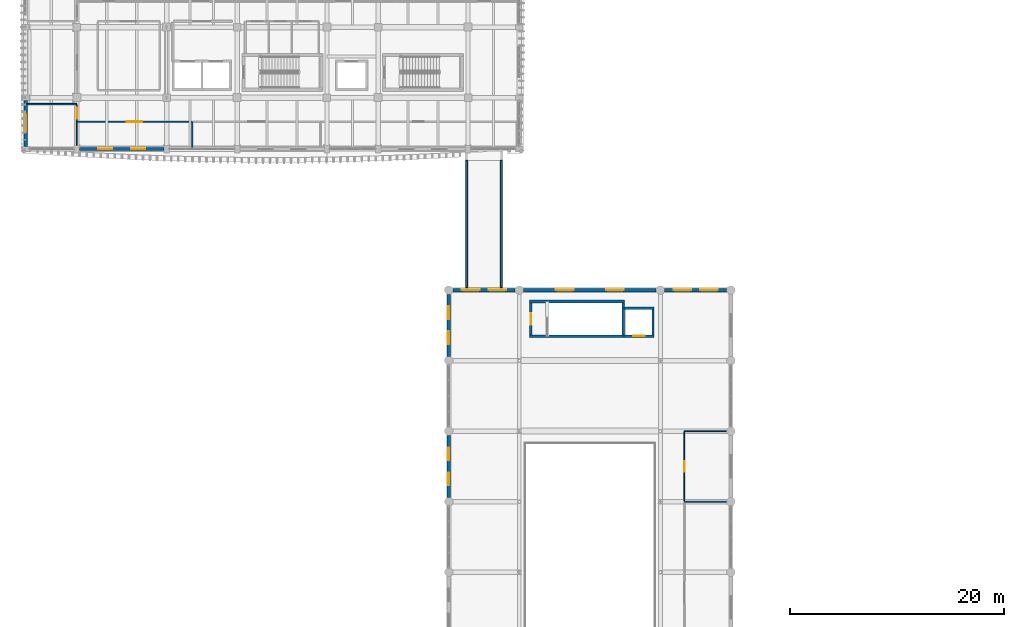
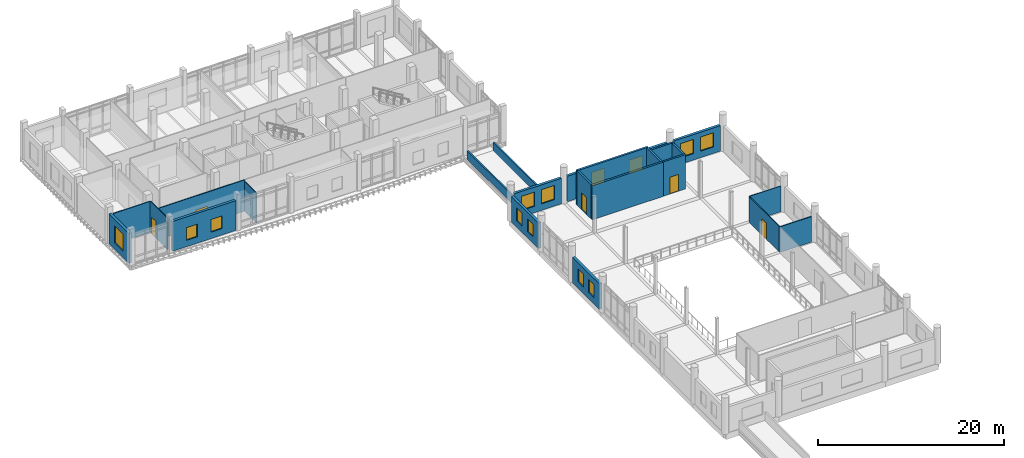
# One storey, part 50 of 76: 23 walls, 13 windows, 5 doors, 18 openings.
"""IFC4 building model written with IfcOpenShell, lengths in metres."""

from ifc_helpers import new_model, si_unit, direction, frame, frame_2d, origin, place, context, subcontext, project, spatial, rectangle, extrude, material, layer, layer_set, type_object, element, fill, save


model = new_model("IFC4")

# Units and contexts
model_context = context("Model", 3, precision=1e-05, world=origin(), true_north=direction((0.0, 1.0)))
body_context = subcontext(model_context, "Body", "Model", "MODEL_VIEW")
ifc_project = project(units=[si_unit("LENGTHUNIT", "METRE"), si_unit("AREAUNIT", "SQUARE_METRE"), si_unit("VOLUMEUNIT", "CUBIC_METRE"), si_unit("PLANEANGLEUNIT", "RADIAN"), si_unit("MASSUNIT", "GRAM", prefix="KILO")], contexts=[model_context])

# Site, building, storey
site_placement = place(None, origin())
site = spatial("IfcSite", under=ifc_project, at=site_placement, CompositionType="ELEMENT")
building_placement = place(site_placement, origin())
building = spatial("IfcBuilding", under=site, at=building_placement, Name="Dornvale Research Institute", CompositionType="ELEMENT")
storey_placement = place(building_placement, frame((0.0, 0.0, 15.0)))
storey = spatial("IfcBuildingStorey", under=building, at=storey_placement, Name="L03", CompositionType="ELEMENT", Elevation=15.0)

# Walls
ifc_material_1 = material(Name="Concrete f'c 40 MPa (C32/40)", Category="concrete")
ifc_layer_1 = layer(ifc_material_1, 0.179931640625)
ifc_layer_set_1 = layer_set([ifc_layer_1], Name="Concrete f'c 40 MPa (C32/40)")
wall_type_1 = type_object("IfcWallType", Name="Parapet_Terrace_180", PredefinedType="PARAPET", material=ifc_layer_set_1)
for number, where, z_axis, x_axis, name in (
    (1, (41.2900390625, 86.02001953125, 0.0), (0.0, 0.0, 1.0), (0.0, 1.0, 0.0), "L03 BRROOF-BR-4 parapet W"),
    (2, (44.510009765625, 86.02001953125, 0.0), (0.0, 0.0, 1.0), (0.0, 1.0, 0.0), "L03 BRROOF-BR-4 parapet E"),
):
    element("IfcWall", number, at=place(storey_placement, frame(where, z_axis=z_axis, x_axis=x_axis)), inside=storey, type_object=wall_type_1, Name=name, PredefinedType="PARAPET", context=body_context, shape_type="SweptSolid", body=[
        extrude(rectangle(XDim=11.919921875, YDim=0.179931640625, at=frame_2d((5.9599609375, 0.0))), origin(), (0.0, 0.0, 1.0), 1.1201171875),
    ])
ifc_material_2 = material(Name="Acoustic Insulated Double-Stud Laboratory Partition")
ifc_layer_2 = layer(ifc_material_2, 0.1201171875)
ifc_layer_set_2 = layer_set([ifc_layer_2], Name="Acoustic Insulated Double-Stud Laboratory Partition")
wall_type_2 = type_object("IfcWallType", Name="Partition_Dry_120", PredefinedType="PARTITIONING", material=ifc_layer_set_2)
wall_1_placement = place(storey_placement, frame((0.175048828125, 103.199951171875, 0.0), z_axis=(0.0, 0.0, 1.0), x_axis=(1.0, 0.0, 0.0)))
element("IfcWall", 3, at=wall_1_placement, inside=storey, type_object=wall_type_2, Name="L03 V5 interior partition #335", PredefinedType="PARTITIONING", context=body_context, shape_type="SweptSolid", body=[
    extrude(rectangle(XDim=4.625, YDim=0.1201171875, at=frame_2d((2.3125, 0.0))), origin(), (0.0, 0.0, 1.0), 4.080078125),
])

# Wall, opening, door
wall_2_placement = place(storey_placement, frame((4.864990234375, 101.550048828125, 0.0), z_axis=(0.0, 0.0, 1.0), x_axis=(1.0, 0.0, 0.0)))
wall_2 = element("IfcWall", 4, at=wall_2_placement, inside=storey, type_object=wall_type_2, Name="L03 V5 interior partition #348", PredefinedType="PARTITIONING", context=body_context, shape_type="SweptSolid", body=[
    extrude(rectangle(XDim=10.735107421875, YDim=0.1201171875, at=frame_2d((5.36767578125, 0.0))), origin(), (0.0, 0.0, 1.0), 4.1298828125),
])
opening_1_placement = place(wall_2_placement, frame((4.614990234375, 0.0, 0.0)))
opening_1 = element("IfcOpeningElement", 5, at=opening_1_placement, cuts=wall_2, Name="Opening ID-07", PredefinedType="OPENING", context=body_context, shape_type="SweptSolid", body=[
    extrude(rectangle(XDim=1.43994140625, YDim=2.25, at=frame_2d((0.719970703125, 1.125))), frame((0.0, 0.074951171875, 0.0), z_axis=(0.0, -1.0, 0.0), x_axis=(1.0, 0.0, 0.0)), (0.0, 0.0, 1.0), 0.150146484375),
])
ifc_material_3 = material(Name="Insulated Fire-Rated Hollow Metal Door Assembly")
door_type_1 = type_object("IfcDoorType", Name="Door_DryLab_1440x2250", OperationType="SINGLE_SWING_LEFT", PredefinedType="DOOR", material=ifc_material_3)
door_1_placement = place(opening_1_placement, origin())
door_1 = element("IfcDoor", 6, at=door_1_placement, inside=storey, type_object=door_type_1, Name="L03 Systems Modelling Dry Laboratory door #141", OperationType="SINGLE_SWING_RIGHT", OverallHeight=2.25, OverallWidth=1.43994140625, PredefinedType="DOOR", context=body_context, shape_type="SweptSolid", body=[
    extrude(rectangle(XDim=1.43994140625, YDim=2.25, at=frame_2d((0.719970703125, 1.125))), frame((0.0, 0.02490234375, 0.0), z_axis=(0.0, -1.0, 0.0), x_axis=(1.0, 0.0, 0.0)), (0.0, 0.0, 1.0), 0.050048828125),
])
fill(opening_1, door_1)

# Walls
wall_3_placement = place(storey_placement, frame((15.60009765625, 99.0400390625, 0.0), z_axis=(0.0, 0.0, 1.0), x_axis=(0.0, 1.0, 0.0)))
element("IfcWall", 7, at=wall_3_placement, inside=storey, type_object=wall_type_2, Name="L03 V5 interior partition #349", PredefinedType="PARTITIONING", context=body_context, shape_type="SweptSolid", body=[
    extrude(rectangle(XDim=2.43505859375, YDim=0.1201171875, at=frame_2d((1.217529296875, 0.0))), origin(), (0.0, 0.0, 1.0), 3.929931640625),
])
wall_4_placement = place(storey_placement, frame((61.64990234375, 66.0, 0.0), z_axis=(0.0, 0.0, 1.0), x_axis=(1.0, 0.0, 0.0)))
element("IfcWall", 8, at=wall_4_placement, inside=storey, type_object=wall_type_2, Name="L03 V2 interior partition #396", PredefinedType="PARTITIONING", context=body_context, shape_type="SweptSolid", body=[
    extrude(rectangle(XDim=3.93017578125, YDim=0.1201171875, at=frame_2d((1.965087890625, 0.0))), origin(), (0.0, 0.0, 1.0), 3.360107421875),
])

# Wall, opening, door
ifc_material_4 = material(Name="Acoustic Insulated Double-Stud Laboratory Partition")
ifc_layer_3 = layer(ifc_material_4, 0.10009765625)
ifc_layer_set_3 = layer_set([ifc_layer_3], Name="Acoustic Insulated Double-Stud Laboratory Partition")
wall_type_3 = type_object("IfcWallType", Name="Partition_Office_100", PredefinedType="PARTITIONING", material=ifc_layer_set_3)
wall_5_placement = place(storey_placement, frame((4.800048828125, 99.3701171875, 0.0), z_axis=(0.0, 0.0, 1.0), x_axis=(0.0, 1.0, 0.0)))
wall_5 = element("IfcWall", 9, at=wall_5_placement, inside=storey, type_object=wall_type_3, Name="L03 V5 interior partition #347", PredefinedType="PARTITIONING", context=body_context, shape_type="SweptSolid", body=[
    extrude(rectangle(XDim=3.7548828125, YDim=0.10009765625, at=frame_2d((1.87744140625, 0.0))), origin(), (0.0, 0.0, 1.0), 4.1298828125),
])
opening_2_placement = place(wall_5_placement, frame((2.485107421875, 0.0, 0.0)))
opening_2 = element("IfcOpeningElement", 10, at=opening_2_placement, cuts=wall_5, Name="Opening ID-20", PredefinedType="OPENING", context=body_context, shape_type="SweptSolid", body=[
    extrude(rectangle(XDim=1.02001953125, YDim=2.199951171875, at=frame_2d((0.510009765625, 1.10009765625))), frame((0.0, 0.06494140625, 0.0), z_axis=(0.0, -1.0, 0.0), x_axis=(1.0, 0.0, 0.0)), (0.0, 0.0, 1.0), 0.130126953125),
])
ifc_material_5 = material(Name="Phenolic-Faced Solid-Core Laboratory Door Assembly")
door_type_2 = type_object("IfcDoorType", Name="Door_WriteUp_1020x2200", OperationType="SINGLE_SWING_LEFT", PredefinedType="DOOR", material=ifc_material_5)
door_2_placement = place(opening_2_placement, origin())
door_2 = element("IfcDoor", 11, at=door_2_placement, inside=storey, type_object=door_type_2, Name="L03 Research Instrument Study L03 door #140", OperationType="SINGLE_SWING_LEFT", OverallHeight=2.199951171875, OverallWidth=1.02001953125, PredefinedType="DOOR", context=body_context, shape_type="SweptSolid", body=[
    extrude(rectangle(XDim=1.02001953125, YDim=2.199951171875, at=frame_2d((0.510009765625, 1.10009765625))), frame((0.0, 0.02490234375, 0.0), z_axis=(0.0, -1.0, 0.0), x_axis=(1.0, 0.0, 0.0)), (0.0, 0.0, 1.0), 0.050048828125),
])
fill(opening_2, door_2)

# Wall
wall_6_placement = place(storey_placement, frame((61.64990234375, 72.60009765625, 0.0), z_axis=(0.0, 0.0, 1.0), x_axis=(1.0, 0.0, 0.0)))
element("IfcWall", 12, at=wall_6_placement, inside=storey, type_object=wall_type_3, Name="L03 V2 interior partition #398", PredefinedType="PARTITIONING", context=body_context, shape_type="SweptSolid", body=[
    extrude(rectangle(XDim=3.93017578125, YDim=0.10009765625, at=frame_2d((1.965087890625, 0.0))), origin(), (0.0, 0.0, 1.0), 3.360107421875),
])

# Wall, opening, door
wall_7_placement = place(storey_placement, frame((61.64990234375, 66.074951171875, 0.0), z_axis=(0.0, 0.0, 1.0), x_axis=(0.0, 1.0, 0.0)))
wall_7 = element("IfcWall", 13, at=wall_7_placement, inside=storey, type_object=wall_type_3, Name="L03 V2 interior partition #399", PredefinedType="PARTITIONING", context=body_context, shape_type="SweptSolid", body=[
    extrude(rectangle(XDim=6.4599609375, YDim=0.10009765625, at=frame_2d((3.22998046875, 0.0))), origin(), (0.0, 0.0, 1.0), 3.360107421875),
])
opening_3_placement = place(wall_7_placement, frame((2.72509765625, 0.0, 0.0)))
opening_3 = element("IfcOpeningElement", 14, at=opening_3_placement, cuts=wall_7, Name="Opening ID-24", PredefinedType="OPENING", context=body_context, shape_type="SweptSolid", body=[
    extrude(rectangle(XDim=1.0, YDim=2.14990234375, at=frame_2d((0.5, 1.074951171875))), frame((0.0, 0.06494140625, 0.0), z_axis=(0.0, -1.0, 0.0), x_axis=(1.0, 0.0, 0.0)), (0.0, 0.0, 1.0), 0.130126953125),
])
ifc_material_6 = material(Name="Phenolic-Faced Solid-Core Laboratory Door Assembly")
door_type_3 = type_object("IfcDoorType", Name="Door_AccWC_1000x2150", OperationType="SINGLE_SWING_LEFT", PredefinedType="DOOR", material=ifc_material_6)
door_3_placement = place(opening_3_placement, origin())
door_3 = element("IfcDoor", 15, at=door_3_placement, inside=storey, type_object=door_type_3, Name="L03 Atrium Accessible Restroom L03 door #160", OperationType="SINGLE_SWING_LEFT", OverallHeight=2.14990234375, OverallWidth=1.0, PredefinedType="DOOR", context=body_context, shape_type="SweptSolid", body=[
    extrude(rectangle(XDim=1.0, YDim=2.14990234375, at=frame_2d((0.5, 1.074951171875))), frame((0.0, 0.02490234375, 0.0), z_axis=(0.0, -1.0, 0.0), x_axis=(1.0, 0.0, 0.0)), (0.0, 0.0, 1.0), 0.050048828125),
])
fill(opening_3, door_3)

# Walls
ifc_material_7 = material(Name="Concrete f'c 45 MPa (C35/45)", Category="concrete")
ifc_layer_4 = layer(ifc_material_7, 0.25)
ifc_layer_set_4 = layer_set([ifc_layer_4], Name="Concrete f'c 45 MPa (C35/45)")
wall_type_4 = type_object("IfcWallType", Name="ShearWall_Core_250", PredefinedType="SHEAR", material=ifc_layer_set_4)
for number, where, z_axis, x_axis, name in (
    (16, (47.14990234375, 81.47509765625, 0.0), (0.0, 0.0, 1.0), (1.0, 0.0, 0.0), "L03 ST-8 shaft shear wall south"),
    (17, (47.14990234375, 84.72509765625, 0.0), (0.0, 0.0, 1.0), (1.0, 0.0, 0.0), "L03 ST-8 shaft shear wall north"),
):
    element("IfcWall", number, at=place(storey_placement, frame(where, z_axis=z_axis, x_axis=x_axis)), inside=storey, type_object=wall_type_4, Name=name, PredefinedType="SHEAR", context=body_context, shape_type="SweptSolid", body=[
        extrude(rectangle(XDim=8.900146484375, YDim=0.25, at=frame_2d((4.4501953125, 0.0))), origin(), (0.0, 0.0, 1.0), 4.5),
    ])

# Wall, opening, door
wall_8_placement = place(storey_placement, frame((47.27490234375, 81.60009765625, 0.0), z_axis=(0.0, 0.0, 1.0), x_axis=(0.0, 1.0, 0.0)))
wall_8 = element("IfcWall", 18, at=wall_8_placement, inside=storey, type_object=wall_type_4, Name="L03 ST-8 shaft shear wall west", PredefinedType="SHEAR", context=body_context, shape_type="SweptSolid", body=[
    extrude(rectangle(XDim=3.0, YDim=0.25, at=frame_2d((1.5, 0.0))), origin(), (0.0, 0.0, 1.0), 4.5),
])
opening_4_placement = place(wall_8_placement, frame((0.9599609375, 0.0, 0.0)))
opening_4 = element("IfcOpeningElement", 19, at=opening_4_placement, cuts=wall_8, Name="Opening SD-02", PredefinedType="OPENING", context=body_context, shape_type="SweptSolid", body=[
    extrude(rectangle(XDim=1.080078125, YDim=2.199951171875, at=frame_2d((0.5400390625, 1.10009765625))), frame((0.0, 0.139892578125, 0.0), z_axis=(0.0, -1.0, 0.0), x_axis=(1.0, 0.0, 0.0)), (0.0, 0.0, 1.0), 0.280029296875),
])
ifc_material_8 = material(Name="Insulated Fire-Rated Hollow Metal Door Assembly")
door_type_4 = type_object("IfcDoorType", Name="Door_Stair_1080x2200", OperationType="SINGLE_SWING_LEFT", PredefinedType="DOOR", material=ifc_material_8)
door_4_placement = place(opening_4_placement, origin())
door_4 = element("IfcDoor", 20, at=door_4_placement, inside=storey, type_object=door_type_4, Name="L03 ST-8 exit stair door #58", OperationType="SINGLE_SWING_RIGHT", OverallHeight=2.199951171875, OverallWidth=1.080078125, PredefinedType="DOOR", context=body_context, shape_type="SweptSolid", body=[
    extrude(rectangle(XDim=1.080078125, YDim=2.199951171875, at=frame_2d((0.5400390625, 1.10009765625))), frame((0.0, 0.02490234375, 0.0), z_axis=(0.0, -1.0, 0.0), x_axis=(1.0, 0.0, 0.0)), (0.0, 0.0, 1.0), 0.050048828125),
])
fill(opening_4, door_4)

# Wall
wall_9_placement = place(storey_placement, frame((55.925048828125, 81.60009765625, 0.0), z_axis=(0.0, 0.0, 1.0), x_axis=(0.0, 1.0, 0.0)))
element("IfcWall", 21, at=wall_9_placement, inside=storey, type_object=wall_type_4, Name="L03 ST-8 shaft shear wall east", PredefinedType="SHEAR", context=body_context, shape_type="SweptSolid", body=[
    extrude(rectangle(XDim=3.0, YDim=0.25, at=frame_2d((1.5, 0.0))), origin(), (0.0, 0.0, 1.0), 4.5),
])

# Wall, opening, door
ifc_material_9 = material(Name="Concrete f'c 45 MPa (C35/45)", Category="concrete")
ifc_layer_5 = layer(ifc_material_9, 0.219970703125)
ifc_layer_set_5 = layer_set([ifc_layer_5], Name="Concrete f'c 45 MPa (C35/45)")
wall_type_5 = type_object("IfcWallType", Name="ShearWall_Shaft_220", PredefinedType="SHEAR", material=ifc_layer_set_5)
wall_10_placement = place(storey_placement, frame((55.97998046875, 81.489990234375, 0.0), z_axis=(0.0, 0.0, 1.0), x_axis=(1.0, 0.0, 0.0)))
wall_10 = element("IfcWall", 22, at=wall_10_placement, inside=storey, type_object=wall_type_5, Name="L03 LP3 elevator shaft wall south", PredefinedType="SHEAR", context=body_context, shape_type="SweptSolid", body=[
    extrude(rectangle(XDim=2.840087890625, YDim=0.219970703125, at=frame_2d((1.419921875, 0.0))), origin(), (0.0, 0.0, 1.0), 4.5),
])
opening_5_placement = place(wall_10_placement, frame((0.8701171875, 0.0, 0.0)))
opening_5 = element("IfcOpeningElement", 23, at=opening_5_placement, cuts=wall_10, Name="Opening LD-02", PredefinedType="OPENING", context=body_context, shape_type="SweptSolid", body=[
    extrude(rectangle(XDim=1.10009765625, YDim=2.199951171875, at=frame_2d((0.550048828125, 1.10009765625))), frame((0.0, 0.125, 0.0), z_axis=(0.0, -1.0, 0.0), x_axis=(1.0, 0.0, 0.0)), (0.0, 0.0, 1.0), 0.25),
])
ifc_material_10 = material(Name="Brushed Stainless Steel Sliding Elevator Landing Door", Category="steel")
door_type_5 = type_object("IfcDoorType", Name="Door_LiftLanding_Pass_1100x2200", OperationType="SINGLE_SWING_LEFT", PredefinedType="DOOR", material=ifc_material_10)
door_5_placement = place(opening_5_placement, origin())
door_5 = element("IfcDoor", 24, at=door_5_placement, inside=storey, type_object=door_type_5, Name="L03 LP3 sliding elevator landing door #61", OperationType="SLIDING_TO_LEFT", OverallHeight=2.199951171875, OverallWidth=1.10009765625, PredefinedType="DOOR", context=body_context, shape_type="SweptSolid", body=[
    extrude(rectangle(XDim=1.10009765625, YDim=2.199951171875, at=frame_2d((0.550048828125, 1.10009765625))), frame((0.0, 0.02490234375, 0.0), z_axis=(0.0, -1.0, 0.0), x_axis=(1.0, 0.0, 0.0)), (0.0, 0.0, 1.0), 0.050048828125),
])
fill(opening_5, door_5)

# Walls
wall_11_placement = place(storey_placement, frame((55.97998046875, 84.110107421875, 0.0), z_axis=(0.0, 0.0, 1.0), x_axis=(1.0, 0.0, 0.0)))
element("IfcWall", 25, at=wall_11_placement, inside=storey, type_object=wall_type_5, Name="L03 LP3 elevator shaft wall north", PredefinedType="SHEAR", context=body_context, shape_type="SweptSolid", body=[
    extrude(rectangle(XDim=2.840087890625, YDim=0.219970703125, at=frame_2d((1.419921875, 0.0))), origin(), (0.0, 0.0, 1.0), 4.5),
])
wall_12_placement = place(storey_placement, frame((58.7099609375, 81.60009765625, 0.0), z_axis=(0.0, 0.0, 1.0), x_axis=(0.0, 1.0, 0.0)))
element("IfcWall", 26, at=wall_12_placement, inside=storey, type_object=wall_type_5, Name="L03 LP3 elevator shaft wall east", PredefinedType="SHEAR", context=body_context, shape_type="SweptSolid", body=[
    extrude(rectangle(XDim=2.39990234375, YDim=0.219970703125, at=frame_2d((1.199951171875, 0.0))), origin(), (0.0, 0.0, 1.0), 4.5),
])

# Wall, openings, windows
ifc_material_11 = material(Name="Catalan Pressed Brick and Insulated Cavity Assembly", Category="masonry")
ifc_layer_6 = layer(ifc_material_11, 0.320068359375)
ifc_layer_set_6 = layer_set([ifc_layer_6], Name="Catalan Pressed Brick and Insulated Cavity Assembly")
wall_type_6 = type_object("IfcWallType", Name="StandardWall_BrickCavity_320", PredefinedType="STANDARD", material=ifc_layer_set_6)
wall_13_placement = place(storey_placement, frame((39.60009765625, 66.39501953125, 0.0), z_axis=(0.0, 0.0, 1.0), x_axis=(0.0, 1.0, 0.0)))
wall_13 = element("IfcWall", 27, at=wall_13_placement, inside=storey, type_object=wall_type_6, Name="L03 V2 west exterior wall #98", PredefinedType="STANDARD", context=body_context, shape_type="SweptSolid", body=[
    extrude(rectangle(XDim=5.81005859375, YDim=0.320068359375, at=frame_2d((2.905029296875, 0.0))), origin(), (0.0, 0.0, 1.0), 3.360107421875),
])
opening_6_placement = place(wall_13_placement, frame((1.13671875, 0.0, 0.85009765625)))
opening_6 = element("IfcOpeningElement", 28, at=opening_6_placement, cuts=wall_13, Name="Opening W-13", PredefinedType="OPENING", context=body_context, shape_type="SweptSolid", body=[
    extrude(rectangle(XDim=1.199951171875, YDim=1.699951171875, at=frame_2d((0.60009765625, 0.85009765625))), frame((0.0, 0.175048828125, 0.0), z_axis=(0.0, -1.0, 0.0), x_axis=(1.0, 0.0, 0.0)), (0.0, 0.0, 1.0), 0.35009765625),
])
opening_7_placement = place(wall_13_placement, frame((3.473388671875, 0.0, 0.85009765625)))
opening_7 = element("IfcOpeningElement", 29, at=opening_7_placement, cuts=wall_13, Name="Opening W-13", PredefinedType="OPENING", context=body_context, shape_type="SweptSolid", body=[
    extrude(rectangle(XDim=1.199951171875, YDim=1.699951171875, at=frame_2d((0.60009765625, 0.85009765625))), frame((0.0, 0.175048828125, 0.0), z_axis=(0.0, -1.0, 0.0), x_axis=(1.0, 0.0, 0.0)), (0.0, 0.0, 1.0), 0.35009765625),
])
ifc_material_12 = material(Name="Low-E Argon Double Insulating Glazing Unit", Category="glass")
window_type_1 = type_object("IfcWindowType", Name="Window_Alu_1200x1700_13", PartitioningType="SINGLE_PANEL", PredefinedType="WINDOW", material=ifc_material_12)
window_1_placement = place(opening_6_placement, origin())
window_1 = element("IfcWindow", 30, at=window_1_placement, inside=storey, type_object=window_type_1, Name="L03 V2 facade window W-13 #122", OverallHeight=1.699951171875, OverallWidth=1.199951171875, PartitioningType="SINGLE_PANEL", PredefinedType="WINDOW", context=body_context, shape_type="SweptSolid", body=[
    extrude(rectangle(XDim=1.199951171875, YDim=1.699951171875, at=frame_2d((0.60009765625, 0.85009765625))), frame((0.0, 0.030029296875, 0.0), z_axis=(0.0, -1.0, 0.0), x_axis=(1.0, 0.0, 0.0)), (0.0, 0.0, 1.0), 0.06005859375),
])
fill(opening_6, window_1)
window_2_placement = place(opening_7_placement, origin())
window_2 = element("IfcWindow", 31, at=window_2_placement, inside=storey, type_object=window_type_1, Name="L03 V2 facade window W-13 #123", OverallHeight=1.699951171875, OverallWidth=1.199951171875, PartitioningType="SINGLE_PANEL", PredefinedType="WINDOW", context=body_context, shape_type="SweptSolid", body=[
    extrude(rectangle(XDim=1.199951171875, YDim=1.699951171875, at=frame_2d((0.60009765625, 0.85009765625))), frame((0.0, 0.030029296875, 0.0), z_axis=(0.0, -1.0, 0.0), x_axis=(1.0, 0.0, 0.0)), (0.0, 0.0, 1.0), 0.06005859375),
])
fill(opening_7, window_2)

wall_14_placement = place(storey_placement, frame((39.60009765625, 79.594970703125, 0.0), z_axis=(0.0, 0.0, 1.0), x_axis=(0.0, 1.0, 0.0)))
wall_14 = element("IfcWall", 32, at=wall_14_placement, inside=storey, type_object=wall_type_6, Name="L03 V2 west exterior wall #99", PredefinedType="STANDARD", context=body_context, shape_type="SweptSolid", body=[
    extrude(rectangle(XDim=5.81005859375, YDim=0.320068359375, at=frame_2d((2.905029296875, 0.0))), origin(), (0.0, 0.0, 1.0), 3.360107421875),
])
opening_8_placement = place(wall_14_placement, frame((1.13671875, 0.0, 0.85009765625)))
opening_8 = element("IfcOpeningElement", 33, at=opening_8_placement, cuts=wall_14, Name="Opening W-13", PredefinedType="OPENING", context=body_context, shape_type="SweptSolid", body=[
    extrude(rectangle(XDim=1.199951171875, YDim=1.699951171875, at=frame_2d((0.60009765625, 0.85009765625))), frame((0.0, 0.175048828125, 0.0), z_axis=(0.0, -1.0, 0.0), x_axis=(1.0, 0.0, 0.0)), (0.0, 0.0, 1.0), 0.35009765625),
])
opening_9_placement = place(wall_14_placement, frame((3.473388671875, 0.0, 0.85009765625)))
opening_9 = element("IfcOpeningElement", 34, at=opening_9_placement, cuts=wall_14, Name="Opening W-13", PredefinedType="OPENING", context=body_context, shape_type="SweptSolid", body=[
    extrude(rectangle(XDim=1.199951171875, YDim=1.699951171875, at=frame_2d((0.60009765625, 0.85009765625))), frame((0.0, 0.175048828125, 0.0), z_axis=(0.0, -1.0, 0.0), x_axis=(1.0, 0.0, 0.0)), (0.0, 0.0, 1.0), 0.35009765625),
])
window_3_placement = place(opening_8_placement, origin())
window_3 = element("IfcWindow", 35, at=window_3_placement, inside=storey, type_object=window_type_1, Name="L03 V2 facade window W-13 #124", OverallHeight=1.699951171875, OverallWidth=1.199951171875, PartitioningType="SINGLE_PANEL", PredefinedType="WINDOW", context=body_context, shape_type="SweptSolid", body=[
    extrude(rectangle(XDim=1.199951171875, YDim=1.699951171875, at=frame_2d((0.60009765625, 0.85009765625))), frame((0.0, 0.030029296875, 0.0), z_axis=(0.0, -1.0, 0.0), x_axis=(1.0, 0.0, 0.0)), (0.0, 0.0, 1.0), 0.06005859375),
])
fill(opening_8, window_3)
window_4_placement = place(opening_9_placement, origin())
window_4 = element("IfcWindow", 36, at=window_4_placement, inside=storey, type_object=window_type_1, Name="L03 V2 facade window W-13 #125", OverallHeight=1.699951171875, OverallWidth=1.199951171875, PartitioningType="SINGLE_PANEL", PredefinedType="WINDOW", context=body_context, shape_type="SweptSolid", body=[
    extrude(rectangle(XDim=1.199951171875, YDim=1.699951171875, at=frame_2d((0.60009765625, 0.85009765625))), frame((0.0, 0.030029296875, 0.0), z_axis=(0.0, -1.0, 0.0), x_axis=(1.0, 0.0, 0.0)), (0.0, 0.0, 1.0), 0.06005859375),
])
fill(opening_9, window_4)

wall_15_placement = place(storey_placement, frame((39.9951171875, 85.800048828125, 0.0), z_axis=(0.0, 0.0, 1.0), x_axis=(1.0, 0.0, 0.0)))
wall_15 = element("IfcWall", 37, at=wall_15_placement, inside=storey, type_object=wall_type_6, Name="L03 V2 north exterior wall #100", PredefinedType="STANDARD", context=body_context, shape_type="SweptSolid", body=[
    extrude(rectangle(XDim=5.809814453125, YDim=0.320068359375, at=frame_2d((2.90478515625, 0.0))), origin(), (0.0, 0.0, 1.0), 3.360107421875),
])
opening_10_placement = place(wall_15_placement, frame((0.836669921875, 0.0, 0.85009765625)))
opening_10 = element("IfcOpeningElement", 38, at=opening_10_placement, cuts=wall_15, Name="Opening W-16", PredefinedType="OPENING", context=body_context, shape_type="SweptSolid", body=[
    extrude(rectangle(XDim=1.64990234375, YDim=1.860107421875, at=frame_2d((0.824951171875, 0.93017578125))), frame((0.0, 0.175048828125, 0.0), z_axis=(0.0, -1.0, 0.0), x_axis=(1.0, 0.0, 0.0)), (0.0, 0.0, 1.0), 0.35009765625),
])
opening_11_placement = place(wall_15_placement, frame((3.323486328125, 0.0, 0.85009765625)))
opening_11 = element("IfcOpeningElement", 39, at=opening_11_placement, cuts=wall_15, Name="Opening W-16", PredefinedType="OPENING", context=body_context, shape_type="SweptSolid", body=[
    extrude(rectangle(XDim=1.64990234375, YDim=1.860107421875, at=frame_2d((0.824951171875, 0.93017578125))), frame((0.0, 0.175048828125, 0.0), z_axis=(0.0, -1.0, 0.0), x_axis=(1.0, 0.0, 0.0)), (0.0, 0.0, 1.0), 0.35009765625),
])
ifc_material_13 = material(Name="Low-E Argon Double Insulating Glazing Unit", Category="glass")
window_type_2 = type_object("IfcWindowType", Name="Window_Alu_1650x1860_16", PartitioningType="SINGLE_PANEL", PredefinedType="WINDOW", material=ifc_material_13)
window_5_placement = place(opening_10_placement, origin())
window_5 = element("IfcWindow", 40, at=window_5_placement, inside=storey, type_object=window_type_2, Name="L03 V2 facade window W-16 #126", OverallHeight=1.860107421875, OverallWidth=1.64990234375, PartitioningType="SINGLE_PANEL", PredefinedType="WINDOW", context=body_context, shape_type="SweptSolid", body=[
    extrude(rectangle(XDim=1.64990234375, YDim=1.860107421875, at=frame_2d((0.824951171875, 0.93017578125))), frame((0.0, 0.030029296875, 0.0), z_axis=(0.0, -1.0, 0.0), x_axis=(1.0, 0.0, 0.0)), (0.0, 0.0, 1.0), 0.06005859375),
])
fill(opening_10, window_5)
window_6_placement = place(opening_11_placement, origin())
window_6 = element("IfcWindow", 41, at=window_6_placement, inside=storey, type_object=window_type_2, Name="L03 V2 facade window W-16 #127", OverallHeight=1.860107421875, OverallWidth=1.64990234375, PartitioningType="SINGLE_PANEL", PredefinedType="WINDOW", context=body_context, shape_type="SweptSolid", body=[
    extrude(rectangle(XDim=1.64990234375, YDim=1.860107421875, at=frame_2d((0.824951171875, 0.93017578125))), frame((0.0, 0.030029296875, 0.0), z_axis=(0.0, -1.0, 0.0), x_axis=(1.0, 0.0, 0.0)), (0.0, 0.0, 1.0), 0.06005859375),
])
fill(opening_11, window_6)

wall_16_placement = place(storey_placement, frame((46.594970703125, 85.800048828125, 0.0), z_axis=(0.0, 0.0, 1.0), x_axis=(1.0, 0.0, 0.0)))
wall_16 = element("IfcWall", 42, at=wall_16_placement, inside=storey, type_object=wall_type_6, Name="L03 V2 north exterior wall #101", PredefinedType="STANDARD", context=body_context, shape_type="SweptSolid", body=[
    extrude(rectangle(XDim=12.409912109375, YDim=0.320068359375, at=frame_2d((6.205078125, 0.0))), origin(), (0.0, 0.0, 1.0), 3.360107421875),
])
opening_12_placement = place(wall_16_placement, frame((3.03662109375, 0.0, 0.85009765625)))
opening_12 = element("IfcOpeningElement", 43, at=opening_12_placement, cuts=wall_16, Name="Opening W-16", PredefinedType="OPENING", context=body_context, shape_type="SweptSolid", body=[
    extrude(rectangle(XDim=1.64990234375, YDim=1.860107421875, at=frame_2d((0.824951171875, 0.93017578125))), frame((0.0, 0.175048828125, 0.0), z_axis=(0.0, -1.0, 0.0), x_axis=(1.0, 0.0, 0.0)), (0.0, 0.0, 1.0), 0.35009765625),
])
opening_13_placement = place(wall_16_placement, frame((7.723388671875, 0.0, 0.85009765625)))
opening_13 = element("IfcOpeningElement", 44, at=opening_13_placement, cuts=wall_16, Name="Opening W-16", PredefinedType="OPENING", context=body_context, shape_type="SweptSolid", body=[
    extrude(rectangle(XDim=1.64990234375, YDim=1.860107421875, at=frame_2d((0.824951171875, 0.93017578125))), frame((0.0, 0.175048828125, 0.0), z_axis=(0.0, -1.0, 0.0), x_axis=(1.0, 0.0, 0.0)), (0.0, 0.0, 1.0), 0.35009765625),
])
window_7_placement = place(opening_12_placement, origin())
window_7 = element("IfcWindow", 45, at=window_7_placement, inside=storey, type_object=window_type_2, Name="L03 V2 facade window W-16 #128", OverallHeight=1.860107421875, OverallWidth=1.64990234375, PartitioningType="SINGLE_PANEL", PredefinedType="WINDOW", context=body_context, shape_type="SweptSolid", body=[
    extrude(rectangle(XDim=1.64990234375, YDim=1.860107421875, at=frame_2d((0.824951171875, 0.93017578125))), frame((0.0, 0.030029296875, 0.0), z_axis=(0.0, -1.0, 0.0), x_axis=(1.0, 0.0, 0.0)), (0.0, 0.0, 1.0), 0.06005859375),
])
fill(opening_12, window_7)
window_8_placement = place(opening_13_placement, origin())
window_8 = element("IfcWindow", 46, at=window_8_placement, inside=storey, type_object=window_type_2, Name="L03 V2 facade window W-16 #129", OverallHeight=1.860107421875, OverallWidth=1.64990234375, PartitioningType="SINGLE_PANEL", PredefinedType="WINDOW", context=body_context, shape_type="SweptSolid", body=[
    extrude(rectangle(XDim=1.64990234375, YDim=1.860107421875, at=frame_2d((0.824951171875, 0.93017578125))), frame((0.0, 0.030029296875, 0.0), z_axis=(0.0, -1.0, 0.0), x_axis=(1.0, 0.0, 0.0)), (0.0, 0.0, 1.0), 0.06005859375),
])
fill(opening_13, window_8)

wall_17_placement = place(storey_placement, frame((59.794921875, 85.800048828125, 0.0), z_axis=(0.0, 0.0, 1.0), x_axis=(1.0, 0.0, 0.0)))
wall_17 = element("IfcWall", 47, at=wall_17_placement, inside=storey, type_object=wall_type_6, Name="L03 V2 north exterior wall #102", PredefinedType="STANDARD", context=body_context, shape_type="SweptSolid", body=[
    extrude(rectangle(XDim=5.81005859375, YDim=0.320068359375, at=frame_2d((2.905029296875, 0.0))), origin(), (0.0, 0.0, 1.0), 3.360107421875),
])
opening_14_placement = place(wall_17_placement, frame((0.836669921875, 0.0, 0.85009765625)))
opening_14 = element("IfcOpeningElement", 48, at=opening_14_placement, cuts=wall_17, Name="Opening W-16", PredefinedType="OPENING", context=body_context, shape_type="SweptSolid", body=[
    extrude(rectangle(XDim=1.64990234375, YDim=1.860107421875, at=frame_2d((0.824951171875, 0.93017578125))), frame((0.0, 0.175048828125, 0.0), z_axis=(0.0, -1.0, 0.0), x_axis=(1.0, 0.0, 0.0)), (0.0, 0.0, 1.0), 0.35009765625),
])
opening_15_placement = place(wall_17_placement, frame((3.323486328125, 0.0, 0.85009765625)))
opening_15 = element("IfcOpeningElement", 49, at=opening_15_placement, cuts=wall_17, Name="Opening W-16", PredefinedType="OPENING", context=body_context, shape_type="SweptSolid", body=[
    extrude(rectangle(XDim=1.64990234375, YDim=1.860107421875, at=frame_2d((0.824951171875, 0.93017578125))), frame((0.0, 0.175048828125, 0.0), z_axis=(0.0, -1.0, 0.0), x_axis=(1.0, 0.0, 0.0)), (0.0, 0.0, 1.0), 0.35009765625),
])
window_9_placement = place(opening_14_placement, origin())
window_9 = element("IfcWindow", 50, at=window_9_placement, inside=storey, type_object=window_type_2, Name="L03 V2 facade window W-16 #130", OverallHeight=1.860107421875, OverallWidth=1.64990234375, PartitioningType="SINGLE_PANEL", PredefinedType="WINDOW", context=body_context, shape_type="SweptSolid", body=[
    extrude(rectangle(XDim=1.64990234375, YDim=1.860107421875, at=frame_2d((0.824951171875, 0.93017578125))), frame((0.0, 0.030029296875, 0.0), z_axis=(0.0, -1.0, 0.0), x_axis=(1.0, 0.0, 0.0)), (0.0, 0.0, 1.0), 0.06005859375),
])
fill(opening_14, window_9)
window_10_placement = place(opening_15_placement, origin())
window_10 = element("IfcWindow", 51, at=window_10_placement, inside=storey, type_object=window_type_2, Name="L03 V2 facade window W-16 #131", OverallHeight=1.860107421875, OverallWidth=1.64990234375, PartitioningType="SINGLE_PANEL", PredefinedType="WINDOW", context=body_context, shape_type="SweptSolid", body=[
    extrude(rectangle(XDim=1.64990234375, YDim=1.860107421875, at=frame_2d((0.824951171875, 0.93017578125))), frame((0.0, 0.030029296875, 0.0), z_axis=(0.0, -1.0, 0.0), x_axis=(1.0, 0.0, 0.0)), (0.0, 0.0, 1.0), 0.06005859375),
])
fill(opening_15, window_10)

# Wall, opening, window
wall_18_placement = place(storey_placement, frame((0.0, 99.25, 0.0), z_axis=(0.0, 0.0, 1.0), x_axis=(0.0, 1.0, 0.0)))
wall_18 = element("IfcWall", 52, at=wall_18_placement, inside=storey, type_object=wall_type_6, Name="L03 V5 west exterior wall #332", PredefinedType="STANDARD", context=body_context, shape_type="SweptSolid", body=[
    extrude(rectangle(XDim=4.300048828125, YDim=0.320068359375, at=frame_2d((2.14990234375, 0.0))), origin(), (0.0, 0.0, 1.0), 3.949951171875),
])
opening_16_placement = place(wall_18_placement, frame((1.25, 0.0, 0.85009765625)))
opening_16 = element("IfcOpeningElement", 53, at=opening_16_placement, cuts=wall_18, Name="Opening W-41", PredefinedType="OPENING", context=body_context, shape_type="SweptSolid", body=[
    extrude(rectangle(XDim=1.800048828125, YDim=2.239990234375, at=frame_2d((0.89990234375, 1.1201171875))), frame((0.0, 0.175048828125, 0.0), z_axis=(0.0, -1.0, 0.0), x_axis=(1.0, 0.0, 0.0)), (0.0, 0.0, 1.0), 0.35009765625),
])
ifc_material_14 = material(Name="Low-E Argon Double Insulating Glazing Unit", Category="glass")
window_type_3 = type_object("IfcWindowType", Name="Window_Alu_1800x2240_41", PartitioningType="DOUBLE_PANEL_VERTICAL", PredefinedType="WINDOW", material=ifc_material_14)
window_11_placement = place(opening_16_placement, origin())
window_11 = element("IfcWindow", 54, at=window_11_placement, inside=storey, type_object=window_type_3, Name="L03 V5 facade window W-41 #450", OverallHeight=2.239990234375, OverallWidth=1.800048828125, PartitioningType="DOUBLE_PANEL_VERTICAL", PredefinedType="WINDOW", context=body_context, shape_type="SweptSolid", body=[
    extrude(rectangle(XDim=1.800048828125, YDim=2.239990234375, at=frame_2d((0.89990234375, 1.1201171875))), frame((0.0, 0.030029296875, 0.0), z_axis=(0.0, -1.0, 0.0), x_axis=(1.0, 0.0, 0.0)), (0.0, 0.0, 1.0), 0.06005859375),
])
fill(opening_16, window_11)

# Wall, openings, windows
wall_19_placement = place(storey_placement, frame((12.949951171875, 99.0, 0.0), z_axis=(0.0, 0.0, 1.0), x_axis=(-1.0, 0.0, 0.0)))
wall_19 = element("IfcWall", 55, at=wall_19_placement, inside=storey, type_object=wall_type_6, Name="L03 V5 south exterior wall #344", PredefinedType="STANDARD", context=body_context, shape_type="SweptSolid", body=[
    extrude(rectangle(XDim=7.89990234375, YDim=0.320068359375, at=frame_2d((3.949951171875, 0.0))), origin(), (0.0, 0.0, 1.0), 3.929931640625),
])
opening_17_placement = place(wall_19_placement, frame((1.7333984375, 0.0, 0.85009765625)))
opening_17 = element("IfcOpeningElement", 56, at=opening_17_placement, cuts=wall_19, Name="Opening W-02", PredefinedType="OPENING", context=body_context, shape_type="SweptSolid", body=[
    extrude(rectangle(XDim=1.35009765625, YDim=1.659912109375, at=frame_2d((0.675048828125, 0.830078125))), frame((0.0, 0.175048828125, 0.0), z_axis=(0.0, -1.0, 0.0), x_axis=(1.0, 0.0, 0.0)), (0.0, 0.0, 1.0), 0.35009765625),
])
opening_18_placement = place(wall_19_placement, frame((4.816650390625, 0.0, 0.85009765625)))
opening_18 = element("IfcOpeningElement", 57, at=opening_18_placement, cuts=wall_19, Name="Opening W-02", PredefinedType="OPENING", context=body_context, shape_type="SweptSolid", body=[
    extrude(rectangle(XDim=1.35009765625, YDim=1.659912109375, at=frame_2d((0.675048828125, 0.830078125))), frame((0.0, 0.175048828125, 0.0), z_axis=(0.0, -1.0, 0.0), x_axis=(1.0, 0.0, 0.0)), (0.0, 0.0, 1.0), 0.35009765625),
])
ifc_material_15 = material(Name="Low-E Argon Double Insulating Glazing Unit", Category="glass")
window_type_4 = type_object("IfcWindowType", Name="Window_Alu_1350x1660_02", PartitioningType="SINGLE_PANEL", PredefinedType="WINDOW", material=ifc_material_15)
window_12_placement = place(opening_17_placement, origin())
window_12 = element("IfcWindow", 58, at=window_12_placement, inside=storey, type_object=window_type_4, Name="L03 V5 facade window W-02 #464", OverallHeight=1.659912109375, OverallWidth=1.35009765625, PartitioningType="SINGLE_PANEL", PredefinedType="WINDOW", context=body_context, shape_type="SweptSolid", body=[
    extrude(rectangle(XDim=1.35009765625, YDim=1.659912109375, at=frame_2d((0.675048828125, 0.830078125))), frame((0.0, 0.030029296875, 0.0), z_axis=(0.0, -1.0, 0.0), x_axis=(1.0, 0.0, 0.0)), (0.0, 0.0, 1.0), 0.06005859375),
])
fill(opening_17, window_12)
window_13_placement = place(opening_18_placement, origin())
window_13 = element("IfcWindow", 59, at=window_13_placement, inside=storey, type_object=window_type_4, Name="L03 V5 facade window W-02 #465", OverallHeight=1.659912109375, OverallWidth=1.35009765625, PartitioningType="SINGLE_PANEL", PredefinedType="WINDOW", context=body_context, shape_type="SweptSolid", body=[
    extrude(rectangle(XDim=1.35009765625, YDim=1.659912109375, at=frame_2d((0.675048828125, 0.830078125))), frame((0.0, 0.030029296875, 0.0), z_axis=(0.0, -1.0, 0.0), x_axis=(1.0, 0.0, 0.0)), (0.0, 0.0, 1.0), 0.06005859375),
])
fill(opening_18, window_13)

save(model, "model.ifc")
